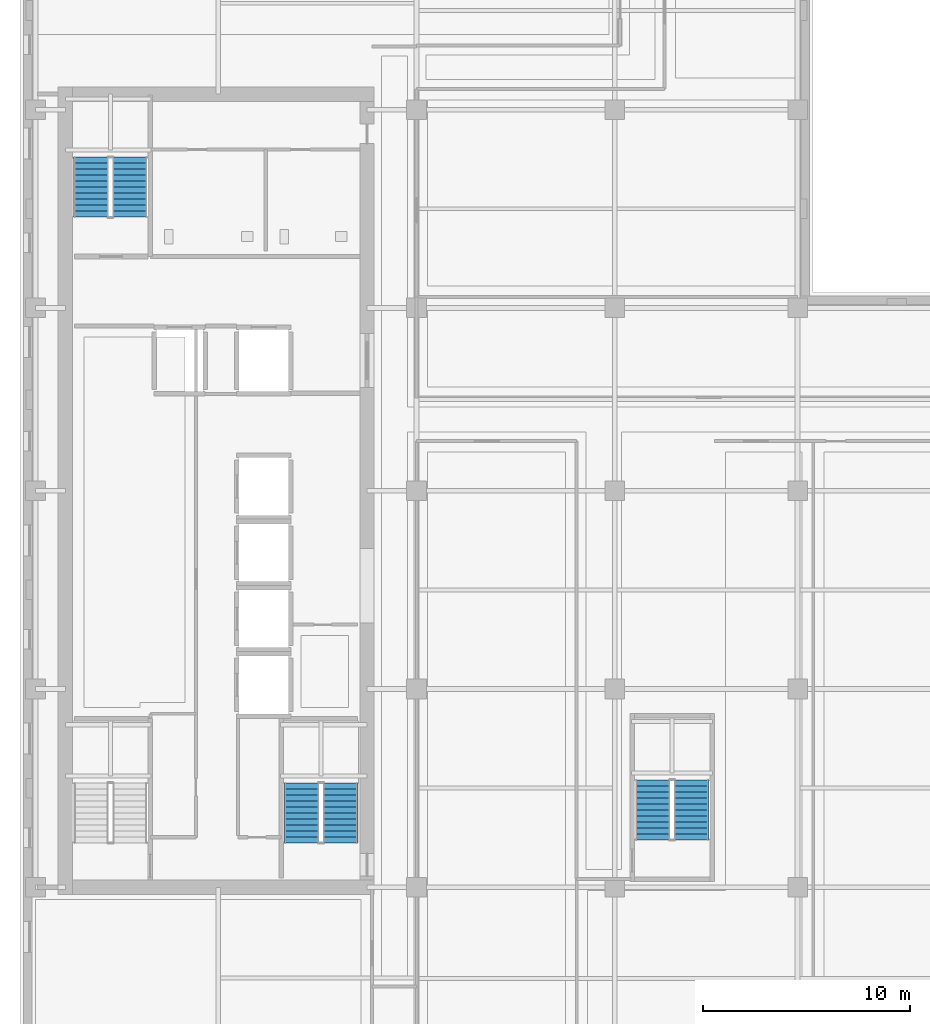
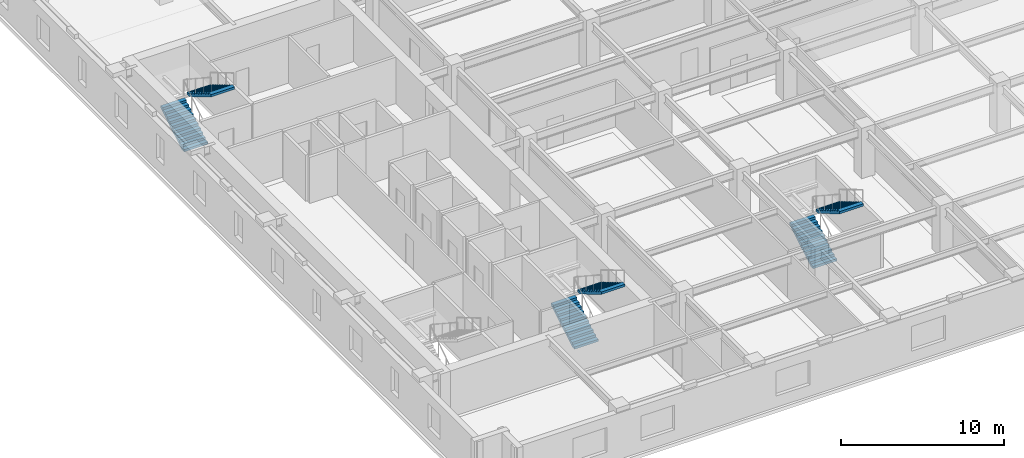
# One storey, part 8 of 13: 6 stair flights, 3 elements without a shape of their own.
"""IFC4 building model written with IfcOpenShell, lengths in metres."""

import ifcopenshell
import ifcopenshell.guid

model = None  # the IFC model being written
_history = None  # IfcOwnerHistory: only IFC2X3 demands one
_inside = {}  # id of a spatial element -> (the spatial element, [elements in it])
_under = {}  # id of a project, library or spatial element -> (it, [spatial elements below it])
_declared = {}  # id of a project -> (the project, [libraries it declares])
_typed = {}  # id of a type object -> (the type object, [elements of that type])
_made_of = {}  # id of a material, layer set ... -> (it, [elements and type objects made of it])


def new_model(schema):
    """Start an empty IFC model of exactly this schema.

    Asked for "IFC4X3", IfcOpenShell would pick the latest addendum, in which some entities
    have other attributes; the version numbers below select the first issue.
    IFC2X3 requires an IfcOwnerHistory on every rooted entity: one is made here for all.
    """
    global model, _history
    if schema == "IFC4X3":
        model = ifcopenshell.file(schema_version=(4, 3, 0, 0))
    else:
        model = ifcopenshell.file(schema=schema)
    _inside.clear()
    _under.clear()
    _declared.clear()
    _typed.clear()
    _made_of.clear()
    _history = None
    if model.schema == "IFC2X3":
        org = make("IfcOrganization", Name="unknown")
        user = make(
            "IfcPersonAndOrganization",
            ThePerson=make("IfcPerson", FamilyName="unknown"),
            TheOrganization=org,
        )
        app = make(
            "IfcApplication",
            ApplicationDeveloper=org,
            Version="unknown",
            ApplicationFullName="unknown",
            ApplicationIdentifier="unknown",
        )
        _history = make(
            "IfcOwnerHistory",
            OwningUser=user,
            OwningApplication=app,
            ChangeAction="ADDED",
            CreationDate=0,
        )
    return model


def make(cls, **values):
    """One entity of the class cls with the attributes given. An attribute that is None is left unset."""
    return model.create_entity(
        cls, **{name: value for name, value in values.items() if value is not None}
    )


def rooted(cls, **values):
    """An entity with a GlobalId (a new one), such as an element, a storey or a relation."""
    return make(cls, GlobalId=ifcopenshell.guid.new(), OwnerHistory=_history, **values)


def si_unit(unit_type, name, prefix=None):
    """IfcSIUnit, for example si_unit("LENGTHUNIT", "METRE", prefix="MILLI")."""
    return make("IfcSIUnit", UnitType=unit_type, Prefix=prefix, Name=name)


def assignment(units):
    """IfcUnitAssignment: the units of a project."""
    return None if units is None else make("IfcUnitAssignment", Units=units)


def point(xyz):
    """IfcCartesianPoint."""
    return None if xyz is None else make("IfcCartesianPoint", Coordinates=xyz)


def direction(xyz):
    """IfcDirection."""
    return None if xyz is None else make("IfcDirection", DirectionRatios=xyz)


def frame(location, z_axis=None, x_axis=None):
    """IfcAxis2Placement3D, a coordinate frame: its origin and axes. An axis left out is left unset."""
    return make(
        "IfcAxis2Placement3D",
        Location=point(location),
        Axis=direction(z_axis),
        RefDirection=direction(x_axis),
    )


def origin():
    """The frame at (0, 0, 0) with its axes left unset."""
    return frame((0.0, 0.0, 0.0))


def place(relative_to, where):
    """IfcLocalPlacement: puts the frame where relative to a parent placement (None: the world)."""
    return make(
        "IfcLocalPlacement", PlacementRelTo=relative_to, RelativePlacement=where
    )


def context(
    kind, dimensions, precision=None, world=None, true_north=None, identifier=None
):
    """IfcGeometricRepresentationContext, for example the 3D "Model" context."""
    return make(
        "IfcGeometricRepresentationContext",
        ContextIdentifier=identifier,
        ContextType=kind,
        CoordinateSpaceDimension=dimensions,
        Precision=precision,
        WorldCoordinateSystem=world,
        TrueNorth=true_north,
    )


def subcontext(parent, identifier, kind, view, scale=None):
    """IfcGeometricRepresentationSubContext, for example "Body" below "Model"."""
    return make(
        "IfcGeometricRepresentationSubContext",
        ContextIdentifier=identifier,
        ContextType=kind,
        ParentContext=parent,
        TargetScale=scale,
        TargetView=view,
    )


def project(units=None, contexts=None):
    """IfcProject with its units and contexts."""
    return rooted(
        "IfcProject",
        Name="project",
        RepresentationContexts=contexts,
        UnitsInContext=assignment(units),
    )


def spatial(cls, under=None, at=None, **own):
    """A site, building, storey or space (cls), placed at a placement, below another one or the project."""
    s = rooted(cls, ObjectPlacement=at, **own)
    if under is not None:
        _under.setdefault(under.id(), (under, []))[1].append(s)
    return s


def polyline(points):
    """IfcPolyline through the points."""
    return make("IfcPolyline", Points=[point(p) for p in points])


def outline(outer, holes=None, kind="AREA"):
    """IfcArbitraryClosedProfileDef: a profile drawn as a closed curve; with holes, ...WithVoids."""
    if holes is None:
        return make("IfcArbitraryClosedProfileDef", ProfileType=kind, OuterCurve=outer)
    return make(
        "IfcArbitraryProfileDefWithVoids",
        ProfileType=kind,
        OuterCurve=outer,
        InnerCurves=holes,
    )


def extrude(swept, where, along, depth):
    """IfcExtrudedAreaSolid: the profile swept, set in the frame where, extruded along a direction by depth."""
    return make(
        "IfcExtrudedAreaSolid",
        SweptArea=swept,
        Position=where,
        ExtrudedDirection=direction(along),
        Depth=depth,
    )


def shape(context_of_items, identifier, shape_type, items):
    """IfcShapeRepresentation: the items that make up one representation, for example the "Body"."""
    return make(
        "IfcShapeRepresentation",
        ContextOfItems=context_of_items,
        RepresentationIdentifier=identifier,
        RepresentationType=shape_type,
        Items=items,
    )


def material(Name=None, Category=None):
    """IfcMaterial."""
    return make("IfcMaterial", Name=Name, Category=Category)


def made_of(thing, what):
    """Note that an element or type object is made of a material, layer set ...; save() writes the relation."""
    if what is not None:
        _made_of.setdefault(what.id(), (what, []))[1].append(thing)
    return thing


def type_object(cls, material=None, **own):
    """A type object (cls), such as IfcWallType, which elements share."""
    return made_of(rooted(cls, **own), material)


def element(
    cls,
    number,
    at=None,
    inside=None,
    cuts=None,
    type_object=None,
    material=None,
    context=None,
    identifier="Body",
    shape_type=None,
    held_by="IfcProductDefinitionShape",
    body=None,
    shapes=None,
    **own,
):
    """One element of the class cls, such as IfcWall. Its Tag is "e" and its number.

    at: its placement. inside: the storey or other place that contains it. cuts: it is an
    opening in that element (IfcRelVoidsElement). A single representation is given by context,
    identifier, shape_type and body (its items); several are given by shapes. held_by: the class
    of the entity that holds the representations. save() writes the other relations.
    """
    e = rooted(cls, Tag="e%d" % number, ObjectPlacement=at, **own)
    if body is not None:
        shapes = [shape(context, identifier, shape_type, body)]
    if shapes is not None:
        e.Representation = make(held_by, Representations=shapes)
    if inside is not None:
        _inside.setdefault(inside.id(), (inside, []))[1].append(e)
    if cuts is not None:
        rooted(
            "IfcRelVoidsElement", RelatingBuildingElement=cuts, RelatedOpeningElement=e
        )
    if type_object is not None:
        _typed.setdefault(type_object.id(), (type_object, []))[1].append(e)
    return made_of(e, material)


def aggregate(whole, parts):
    """IfcRelAggregates: a whole, such as a stair, and the parts it consists of."""
    return rooted("IfcRelAggregates", RelatingObject=whole, RelatedObjects=parts)


def save(model, path):
    """Write the relations noted so far, then the file.

    IfcRelAggregates (storeys below a building ...), IfcRelContainedInSpatialStructure (elements
    in a storey), IfcRelDefinesByType, IfcRelAssociatesMaterial and IfcRelDeclares: one each for
    every whole, place, type object, material and project.
    """
    for whole, parts in _under.values():
        aggregate(whole, parts)
    for where, things in _inside.values():
        rooted(
            "IfcRelContainedInSpatialStructure",
            RelatedElements=things,
            RelatingStructure=where,
        )
    for kind, things in _typed.values():
        rooted("IfcRelDefinesByType", RelatedObjects=things, RelatingType=kind)
    for what, things in _made_of.values():
        rooted("IfcRelAssociatesMaterial", RelatedObjects=things, RelatingMaterial=what)
    for by, libraries in _declared.values():
        rooted("IfcRelDeclares", RelatingContext=by, RelatedDefinitions=libraries)
    model.write(path)


model = new_model("IFC4")

# Units and contexts
model_context = context("Model", 3, precision=1e-05, world=origin(), true_north=direction((0.0, 1.0)))
body_context = subcontext(model_context, "Body", "Model", "MODEL_VIEW")
ifc_project = project(units=[si_unit("LENGTHUNIT", "METRE"), si_unit("AREAUNIT", "SQUARE_METRE"), si_unit("VOLUMEUNIT", "CUBIC_METRE"), si_unit("PLANEANGLEUNIT", "RADIAN"), si_unit("MASSUNIT", "GRAM", prefix="KILO")], contexts=[model_context])

# Site, building, storey
site_placement = place(None, origin())
site = spatial("IfcSite", under=ifc_project, at=site_placement, CompositionType="ELEMENT")
building_placement = place(site_placement, origin())
building = spatial("IfcBuilding", under=site, at=building_placement, Name="Norrvale University Quadrangle", CompositionType="ELEMENT")
storey_placement = place(building_placement, frame((0.0, 0.0, 190.199951171875)))
storey = spatial("IfcBuildingStorey", under=building, at=storey_placement, Name="L48", CompositionType="ELEMENT", Elevation=190.199951171875)

# Stair, stair flights
ifc_material = material(Name="Concrete C40/50", Category="concrete")
stair_type = type_object("IfcStairType", Name="Stair Tower Typ 3800", PredefinedType="TWO_STRAIGHT_RUN_STAIR", material=ifc_material)
stair_1_placement = place(storey_placement, origin())
stair_1 = element("IfcStair", 1, at=stair_1_placement, inside=storey, type_object=stair_type, Name="Exit Stair ST-02 L48", PredefinedType="TWO_STRAIGHT_RUN_STAIR")
stair_flight_type = type_object("IfcStairFlightType", Name="Flight Typ 1500", PredefinedType="STRAIGHT", material=ifc_material)
stair_flight_1_placement = place(storey_placement, frame((3.429931640625, 42.050048828125, 0.0), z_axis=(0.0, 0.0, 1.0), x_axis=(0.0, 1.0, 0.0)))
stair_flight_1 = element("IfcStairFlight", 2, at=stair_flight_1_placement, type_object=stair_flight_type, Name="Exit Stair ST-02 L48 Lower Flight", NumberOfRisers=11, NumberOfTreads=10, PredefinedType="STRAIGHT", RiserHeight=0.172727, TreadLength=0.29, context=body_context, shape_type="SweptSolid", body=[
    extrude(outline(polyline([(0.0, 0.0), (0.0, 0.172607421875), (0.2900390625, 0.172607421875), (0.2900390625, 0.345458984375), (0.580078125, 0.345458984375), (0.580078125, 0.51806640625), (0.8701171875, 0.51806640625), (0.8701171875, 0.69091796875), (1.159912109375, 0.69091796875), (1.159912109375, 0.863525390625), (1.449951171875, 0.863525390625), (1.449951171875, 1.036376953125), (1.739990234375, 1.036376953125), (1.739990234375, 1.208984375), (2.030029296875, 1.208984375), (2.030029296875, 1.3818359375), (2.320068359375, 1.3818359375), (2.320068359375, 1.554443359375), (2.610107421875, 1.554443359375), (2.610107421875, 1.727294921875), (2.89990234375, 1.727294921875), (2.89990234375, 1.89990234375), (2.89990234375, 1.552734375), (0.29296875, 0.0), (0.0, 0.0)])), frame((0.0, 0.83984375, 0.0), z_axis=(0.0, -1.0, 0.0), x_axis=(1.0, 0.0, 0.0)), (0.0, 0.0, 1.0), 1.679931640625),
])
stair_flight_2_placement = place(storey_placement, frame((5.320068359375, 44.949951171875, 1.900146484375), z_axis=(0.0, 0.0, 1.0), x_axis=(0.0, -1.0, 0.0)))
stair_flight_2 = element("IfcStairFlight", 3, at=stair_flight_2_placement, type_object=stair_flight_type, Name="Exit Stair ST-02 L48 Upper Flight", NumberOfRisers=11, NumberOfTreads=10, PredefinedType="STRAIGHT", RiserHeight=0.172727, TreadLength=0.29, context=body_context, shape_type="SweptSolid", body=[
    extrude(outline(polyline([(0.0, 0.0), (0.0, 0.172607421875), (0.2900390625, 0.172607421875), (0.2900390625, 0.345458984375), (0.580078125, 0.345458984375), (0.580078125, 0.51806640625), (0.8701171875, 0.51806640625), (0.8701171875, 0.69091796875), (1.159912109375, 0.69091796875), (1.159912109375, 0.863525390625), (1.449951171875, 0.863525390625), (1.449951171875, 1.036376953125), (1.739990234375, 1.036376953125), (1.739990234375, 1.208984375), (2.030029296875, 1.208984375), (2.030029296875, 1.3818359375), (2.320068359375, 1.3818359375), (2.320068359375, 1.554443359375), (2.610107421875, 1.554443359375), (2.610107421875, 1.727294921875), (2.89990234375, 1.727294921875), (2.89990234375, 1.89990234375), (2.89990234375, 1.552734375), (0.29296875, 0.0), (0.0, 0.0)])), frame((0.0, 0.83984375, 0.0), z_axis=(0.0, -1.0, 0.0), x_axis=(1.0, 0.0, 0.0)), (0.0, 0.0, 1.0), 1.679931640625),
])
aggregate(stair_1, [stair_flight_1, stair_flight_2])

stair_2_placement = place(storey_placement, origin())
stair_2 = element("IfcStair", 4, at=stair_2_placement, inside=storey, type_object=stair_type, Name="Exit Stair ST-03 L48", PredefinedType="TWO_STRAIGHT_RUN_STAIR")
stair_flight_3_placement = place(storey_placement, frame((13.6298828125, 11.75, 0.0), z_axis=(0.0, 0.0, 1.0), x_axis=(0.0, 1.0, 0.0)))
stair_flight_3 = element("IfcStairFlight", 5, at=stair_flight_3_placement, type_object=stair_flight_type, Name="Exit Stair ST-03 L48 Lower Flight", NumberOfRisers=11, NumberOfTreads=10, PredefinedType="STRAIGHT", RiserHeight=0.172727, TreadLength=0.29, context=body_context, shape_type="SweptSolid", body=[
    extrude(outline(polyline([(0.0, 0.0), (0.0, 0.172607421875), (0.2900390625, 0.172607421875), (0.2900390625, 0.345458984375), (0.580078125, 0.345458984375), (0.580078125, 0.51806640625), (0.8701171875, 0.51806640625), (0.8701171875, 0.69091796875), (1.159912109375, 0.69091796875), (1.159912109375, 0.863525390625), (1.449951171875, 0.863525390625), (1.449951171875, 1.036376953125), (1.739990234375, 1.036376953125), (1.739990234375, 1.208984375), (2.030029296875, 1.208984375), (2.030029296875, 1.3818359375), (2.320068359375, 1.3818359375), (2.320068359375, 1.554443359375), (2.610107421875, 1.554443359375), (2.610107421875, 1.727294921875), (2.89990234375, 1.727294921875), (2.89990234375, 1.89990234375), (2.89990234375, 1.552734375), (0.29296875, 0.0), (0.0, 0.0)])), frame((0.0, 0.83984375, 0.0), z_axis=(0.0, -1.0, 0.0), x_axis=(1.0, 0.0, 0.0)), (0.0, 0.0, 1.0), 1.679931640625),
])
stair_flight_4_placement = place(storey_placement, frame((15.52001953125, 14.64990234375, 1.900146484375), z_axis=(0.0, 0.0, 1.0), x_axis=(0.0, -1.0, 0.0)))
stair_flight_4 = element("IfcStairFlight", 6, at=stair_flight_4_placement, type_object=stair_flight_type, Name="Exit Stair ST-03 L48 Upper Flight", NumberOfRisers=11, NumberOfTreads=10, PredefinedType="STRAIGHT", RiserHeight=0.172727, TreadLength=0.29, context=body_context, shape_type="SweptSolid", body=[
    extrude(outline(polyline([(0.0, 0.0), (0.0, 0.172607421875), (0.2900390625, 0.172607421875), (0.2900390625, 0.345458984375), (0.580078125, 0.345458984375), (0.580078125, 0.51806640625), (0.8701171875, 0.51806640625), (0.8701171875, 0.69091796875), (1.159912109375, 0.69091796875), (1.159912109375, 0.863525390625), (1.449951171875, 0.863525390625), (1.449951171875, 1.036376953125), (1.739990234375, 1.036376953125), (1.739990234375, 1.208984375), (2.030029296875, 1.208984375), (2.030029296875, 1.3818359375), (2.320068359375, 1.3818359375), (2.320068359375, 1.554443359375), (2.610107421875, 1.554443359375), (2.610107421875, 1.727294921875), (2.89990234375, 1.727294921875), (2.89990234375, 1.89990234375), (2.89990234375, 1.552734375), (0.29296875, 0.0), (0.0, 0.0)])), frame((0.0, 0.83984375, 0.0), z_axis=(0.0, -1.0, 0.0), x_axis=(1.0, 0.0, 0.0)), (0.0, 0.0, 1.0), 1.679931640625),
])
aggregate(stair_2, [stair_flight_3, stair_flight_4])

stair_3_placement = place(storey_placement, origin())
stair_3 = element("IfcStair", 7, at=stair_3_placement, inside=storey, type_object=stair_type, Name="Exit Stair ST-04 L48", PredefinedType="TWO_STRAIGHT_RUN_STAIR")
stair_flight_5_placement = place(storey_placement, frame((30.6298828125, 11.89990234375, 0.0), z_axis=(0.0, 0.0, 1.0), x_axis=(0.0, 1.0, 0.0)))
stair_flight_5 = element("IfcStairFlight", 8, at=stair_flight_5_placement, type_object=stair_flight_type, Name="Exit Stair ST-04 L48 Lower Flight", NumberOfRisers=11, NumberOfTreads=10, PredefinedType="STRAIGHT", RiserHeight=0.172727, TreadLength=0.29, context=body_context, shape_type="SweptSolid", body=[
    extrude(outline(polyline([(0.0, 0.0), (0.0, 0.172607421875), (0.2900390625, 0.172607421875), (0.2900390625, 0.345458984375), (0.580078125, 0.345458984375), (0.580078125, 0.51806640625), (0.8701171875, 0.51806640625), (0.8701171875, 0.69091796875), (1.159912109375, 0.69091796875), (1.159912109375, 0.863525390625), (1.449951171875, 0.863525390625), (1.449951171875, 1.036376953125), (1.739990234375, 1.036376953125), (1.739990234375, 1.208984375), (2.030029296875, 1.208984375), (2.030029296875, 1.3818359375), (2.320068359375, 1.3818359375), (2.320068359375, 1.554443359375), (2.610107421875, 1.554443359375), (2.610107421875, 1.727294921875), (2.89990234375, 1.727294921875), (2.89990234375, 1.89990234375), (2.89990234375, 1.552734375), (0.29296875, 0.0), (0.0, 0.0)])), frame((0.0, 0.83984375, 0.0), z_axis=(0.0, -1.0, 0.0), x_axis=(1.0, 0.0, 0.0)), (0.0, 0.0, 1.0), 1.679931640625),
])
stair_flight_6_placement = place(storey_placement, frame((32.52001953125, 14.800048828125, 1.900146484375), z_axis=(0.0, 0.0, 1.0), x_axis=(0.0, -1.0, 0.0)))
stair_flight_6 = element("IfcStairFlight", 9, at=stair_flight_6_placement, type_object=stair_flight_type, Name="Exit Stair ST-04 L48 Upper Flight", NumberOfRisers=11, NumberOfTreads=10, PredefinedType="STRAIGHT", RiserHeight=0.172727, TreadLength=0.29, context=body_context, shape_type="SweptSolid", body=[
    extrude(outline(polyline([(0.0, 0.0), (0.0, 0.172607421875), (0.2900390625, 0.172607421875), (0.2900390625, 0.345458984375), (0.580078125, 0.345458984375), (0.580078125, 0.51806640625), (0.8701171875, 0.51806640625), (0.8701171875, 0.69091796875), (1.159912109375, 0.69091796875), (1.159912109375, 0.863525390625), (1.449951171875, 0.863525390625), (1.449951171875, 1.036376953125), (1.739990234375, 1.036376953125), (1.739990234375, 1.208984375), (2.030029296875, 1.208984375), (2.030029296875, 1.3818359375), (2.320068359375, 1.3818359375), (2.320068359375, 1.554443359375), (2.610107421875, 1.554443359375), (2.610107421875, 1.727294921875), (2.89990234375, 1.727294921875), (2.89990234375, 1.89990234375), (2.89990234375, 1.552734375), (0.29296875, 0.0), (0.0, 0.0)])), frame((0.0, 0.83984375, 0.0), z_axis=(0.0, -1.0, 0.0), x_axis=(1.0, 0.0, 0.0)), (0.0, 0.0, 1.0), 1.679931640625),
])
aggregate(stair_3, [stair_flight_5, stair_flight_6])

save(model, "model.ifc")
